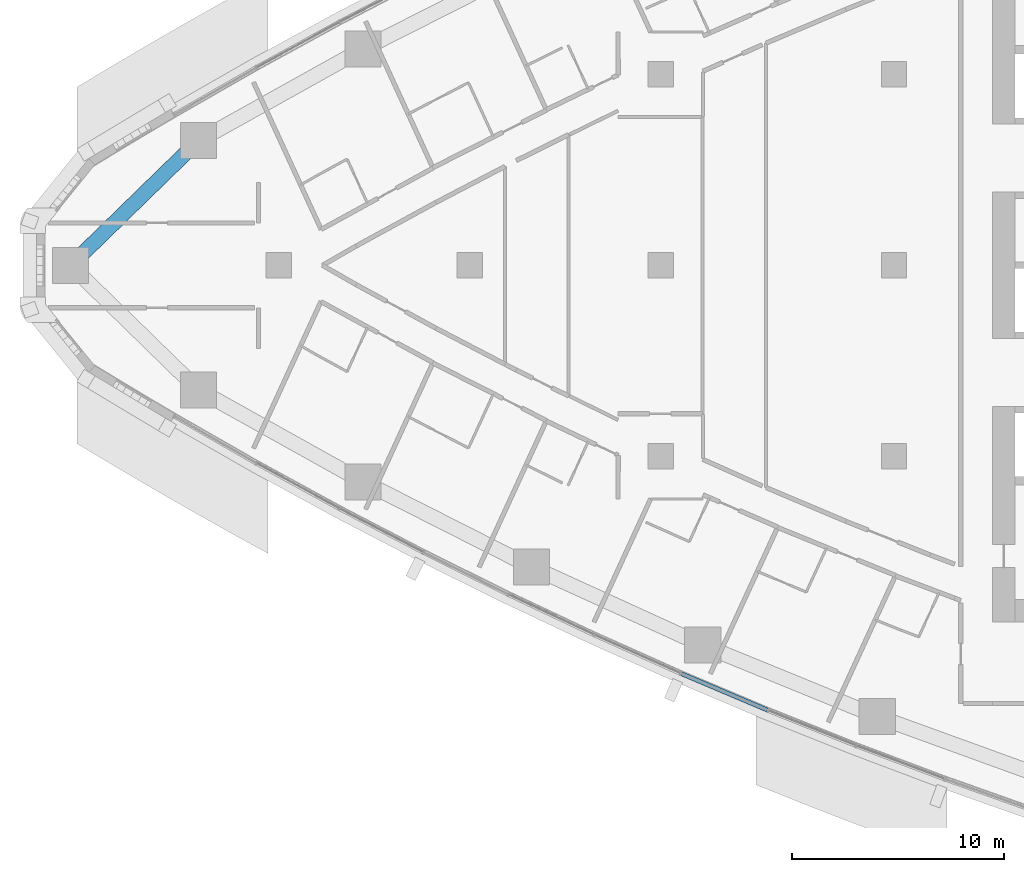
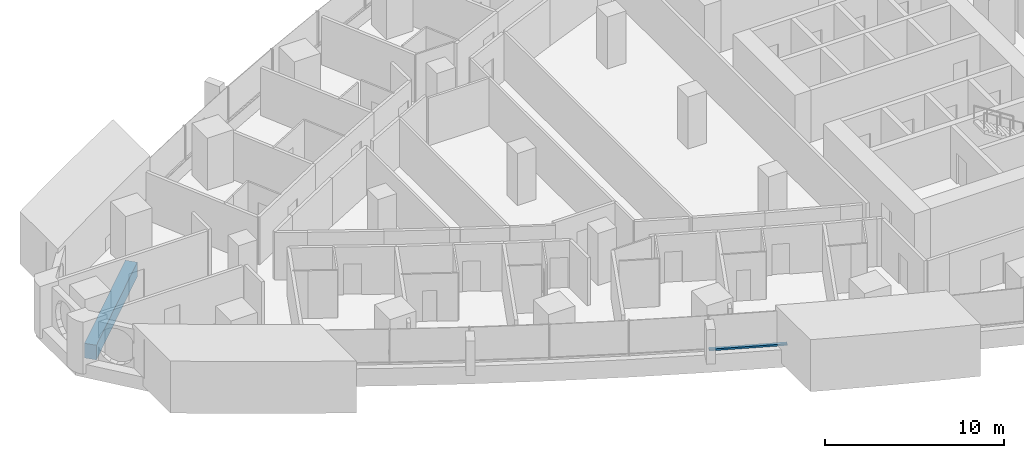
# One storey, part 3 of 17: 1 beam, 1 member, 1 element without a shape of its own.
"""IFC4 building model written with IfcOpenShell, lengths in metres."""

from ifc_helpers import new_model, si_unit, direction, frame, origin, origin_2d, place, context, subcontext, project, spatial, rectangle, extrude, material, layer, layer_set, material_profile, profile_set, type_object, element, aggregate, save


model = new_model("IFC4")

# Units and contexts
model_context = context("Model", 3, precision=1e-05, world=origin(), true_north=direction((0.0, 1.0)))
body_context = subcontext(model_context, "Body", "Model", "MODEL_VIEW")
ifc_project = project(units=[si_unit("LENGTHUNIT", "METRE"), si_unit("AREAUNIT", "SQUARE_METRE"), si_unit("VOLUMEUNIT", "CUBIC_METRE"), si_unit("PLANEANGLEUNIT", "RADIAN"), si_unit("MASSUNIT", "GRAM", prefix="KILO")], contexts=[model_context])

# Site, building, storey
site_placement = place(None, origin())
site = spatial("IfcSite", under=ifc_project, at=site_placement, CompositionType="ELEMENT")
building_placement = place(site_placement, origin())
building = spatial("IfcBuilding", under=site, at=building_placement, Name="Ostrand Prow Hotel Tower", CompositionType="ELEMENT")
storey_placement = place(building_placement, frame((0.0, 0.0, 106.199951171875)))
storey = spatial("IfcBuildingStorey", under=building, at=storey_placement, Name="L25", CompositionType="ELEMENT", Elevation=106.199951171875)

# Beam
ifc_material_1 = material(Name="Concrete C80/95", Category="concrete")
ifc_material_profile_1 = material_profile(ifc_material_1, rectangle(XDim=0.699951171875, YDim=1.0, at=origin_2d()), Name="RC 700x1000")
ifc_profile_set_1 = profile_set([ifc_material_profile_1], Name="Concrete C80/95")
beam_type = type_object("IfcBeamType", Name="Edge beam 700x1000 C80/95", PredefinedType="SPANDREL", material=ifc_profile_set_1)
beam_placement = place(storey_placement, frame((12.221435546875, 5.876220703125, -0.800048828125), z_axis=(-0.716082759826, -0.698015387423, 0.0), x_axis=(0.698015387423, -0.716082759826, 0.0)))
element("IfcBeam", 1, at=beam_placement, inside=storey, type_object=beam_type, Name="Edge beam N6-P", PredefinedType="SPANDREL", context=body_context, shape_type="SweptSolid", body=[
    extrude(rectangle(XDim=0.699951171875, YDim=1.0, at=origin_2d()), origin(), (0.0, 0.0, 1.0), 8.41845703125),
])

# Curtain wall, member
ifc_material_2 = material(Name="Insulated glass in bronze anodised frame", Category="glass")
ifc_layer = layer(ifc_material_2, 0.199951171875)
ifc_layer_set = layer_set([ifc_layer], Name="Insulated glass in bronze anodised frame")
curtain_wall_type = type_object("IfcCurtainWallType", Name="Strip curtain wall, fritted glass over bronze spandrel", PredefinedType="NOTDEFINED", material=ifc_layer_set)
curtain_wall_placement = place(storey_placement, origin())
curtain_wall = element("IfcCurtainWall", 2, at=curtain_wall_placement, inside=storey, type_object=curtain_wall_type, Name="CW1 run CWS4", PredefinedType="NOTDEFINED")
ifc_material_3 = material(Name="Bronze anodised aluminium", Category="aluminium")
ifc_material_profile_2 = material_profile(ifc_material_3, rectangle(XDim=0.199951171875, YDim=0.1201171875, at=origin_2d()), Name="Transom 120x200 bronze anodised aluminium")
ifc_profile_set_2 = profile_set([ifc_material_profile_2], Name="Bronze anodised aluminium")
member_type = type_object("IfcMemberType", Name="Transom 120x200 bronze anodised aluminium", PredefinedType="USERDEFINED", material=ifc_profile_set_2)
member_placement = place(storey_placement, frame((34.978271484375, -19.24462890625, 0.9599609375), z_axis=(0.921006250528, -0.389547797438, 0.0), x_axis=(0.389547797438, 0.921006250528, 0.0)))
member = element("IfcMember", 3, at=member_placement, type_object=member_type, Name="CW1 transom 1.1", ObjectType="TRANSOM", PredefinedType="USERDEFINED", context=body_context, shape_type="SweptSolid", body=[
    extrude(rectangle(XDim=0.199951171875, YDim=0.1201171875, at=origin_2d()), origin(), (0.0, 0.0, 1.0), 4.406005859375),
])
aggregate(curtain_wall, [member])

save(model, "model.ifc")
